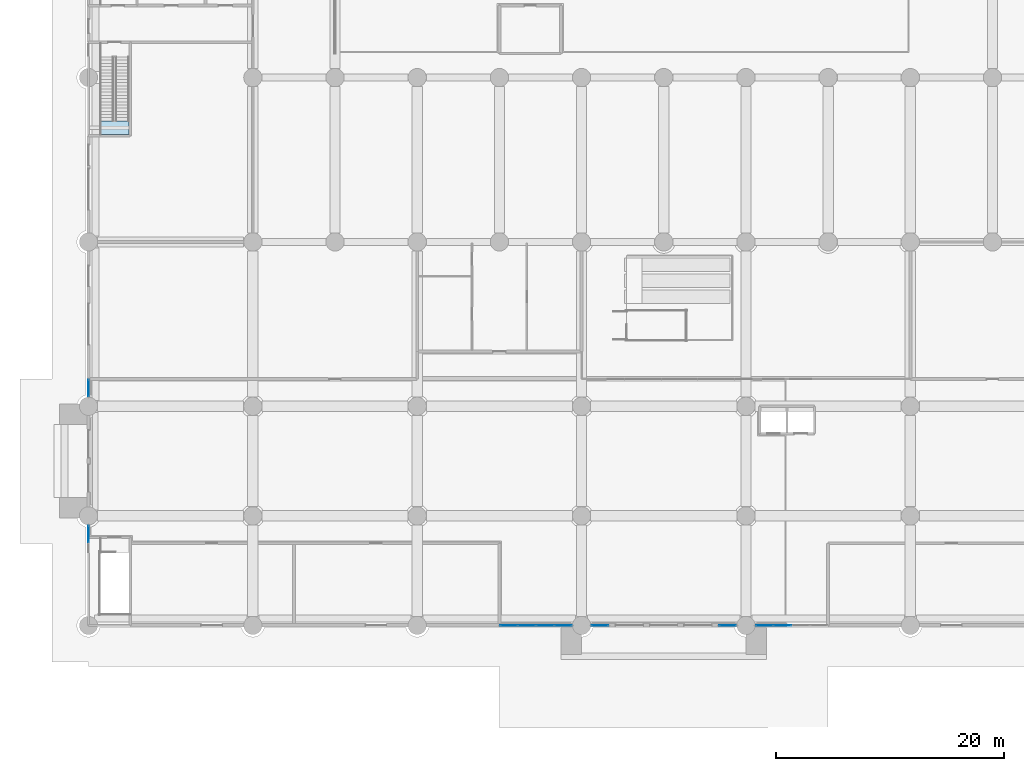
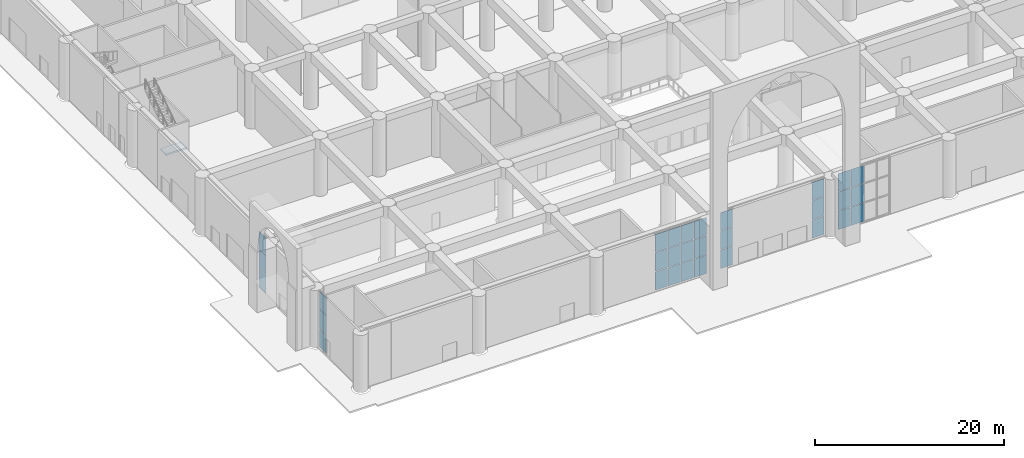
# One storey, part 9 of 32: 30 plates, 1 slab, 7 elements without a shape of their own.
"""IFC4 building model written with IfcOpenShell, lengths in metres."""

from ifc_helpers import new_model, si_unit, direction, frame, origin, origin_2d, place, context, subcontext, project, spatial, polyline, rectangle, outline, extrude, source, transform, mapped, material, layer, layer_set, type_object, element, aggregate, save


model = new_model("IFC4")

# Units and contexts
model_context = context("Model", 3, precision=1e-05, world=origin(), true_north=direction((0.0, 1.0)))
body_context = subcontext(model_context, "Body", "Model", "MODEL_VIEW")
ifc_project = project(units=[si_unit("LENGTHUNIT", "METRE"), si_unit("AREAUNIT", "SQUARE_METRE"), si_unit("VOLUMEUNIT", "CUBIC_METRE"), si_unit("PLANEANGLEUNIT", "RADIAN"), si_unit("MASSUNIT", "GRAM", prefix="KILO")], contexts=[model_context])

# Site, building, storey
site_placement = place(None, origin())
site = spatial("IfcSite", under=ifc_project, at=site_placement, CompositionType="ELEMENT")
building_placement = place(site_placement, origin())
building = spatial("IfcBuilding", under=site, at=building_placement, Name="Saffron Iwan Residences", CompositionType="ELEMENT")
storey_placement = place(building_placement, origin())
storey = spatial("IfcBuildingStorey", under=building, at=storey_placement, Name="L00", CompositionType="ELEMENT", Elevation=0.0)

# Stair, slab
ifc_material_1 = material(Name="Concrete C40/50", Category="concrete")
stair_type = type_object("IfcStairType", Name="Podium stair, reinforced concrete", PredefinedType="HALF_TURN_STAIR", material=ifc_material_1)
stair_placement = place(storey_placement, origin())
stair = element("IfcStair", 1, at=stair_placement, inside=storey, type_object=stair_type, Name="L00 Podium Stair 1", PredefinedType="HALF_TURN_STAIR")
ifc_layer_1 = layer(ifc_material_1, 0.199951171875)
ifc_layer_set_1 = layer_set([ifc_layer_1], Name="Concrete C40/50")
slab_type = type_object("IfcSlabType", Name="Podium stair landing, reinforced concrete", PredefinedType="LANDING", material=ifc_layer_set_1)
slab_placement = place(storey_placement, frame((0.0, 0.0, 3.699951171875)))
slab = element("IfcSlab", 2, at=slab_placement, type_object=slab_type, Name="PS1 landing 1", PredefinedType="LANDING", context=body_context, shape_type="SweptSolid", body=[
    extrude(outline(polyline([(1.0, 44.199951171875), (1.0, 43.0), (3.550048828125, 43.0), (3.550048828125, 44.199951171875), (1.0, 44.199951171875)])), origin(), (0.0, 0.0, 1.0), 0.199951171875),
])
aggregate(stair, [slab])

# Curtain wall, plates
ifc_material_2 = material(Name="Clear glass, laminated double glazed", Category="glass")
ifc_layer_2 = layer(ifc_material_2, 0.199951171875)
ifc_layer_set_2 = layer_set([ifc_layer_2], Name="Clear glass, laminated double glazed")
curtain_wall_type = type_object("IfcCurtainWallType", Name="CW-A UNITISED FRONTAGE", PredefinedType="NOTDEFINED", material=ifc_layer_set_2)
curtain_wall_1_placement = place(storey_placement, origin())
curtain_wall_1 = element("IfcCurtainWall", 3, at=curtain_wall_1_placement, inside=storey, type_object=curtain_wall_type, Name="Frontage glazing 1.1", PredefinedType="NOTDEFINED")
ifc_layer_3 = layer(ifc_material_2, 0.031982421875)
ifc_layer_set_3 = layer_set([ifc_layer_3], Name="Clear glass, laminated double glazed")
plate_type = type_object("IfcPlateType", Name="CW-A PANEL 32", PredefinedType="CURTAIN_PANEL", material=ifc_layer_set_3)
shared_shape_1 = source(origin(), body_context, "Body", "SweptSolid", [
    extrude(rectangle(XDim=1.47998046875, YDim=0.031982421875, at=origin_2d()), origin(), (0.0, 0.0, 1.0), 2.3798828125),
])
plate_1_placement = place(storey_placement, frame((36.820068359375, 0.0, 0.080078125), z_axis=(0.0, 0.0, 1.0), x_axis=(1.0, 0.0, 0.0)))
plate_1 = element("IfcPlate", 4, at=plate_1_placement, type_object=plate_type, Name="CW-A panel 1.1", PredefinedType="CURTAIN_PANEL", context=body_context, shape_type="MappedRepresentation", body=[
    mapped(shared_shape_1, transform((0.0, 0.0, 0.0))),
])
plate_2_placement = place(storey_placement, frame((41.580078125, 0.0, 0.080078125), z_axis=(0.0, 0.0, 1.0), x_axis=(1.0, 0.0, 0.0)))
plate_2 = element("IfcPlate", 5, at=plate_2_placement, type_object=plate_type, Name="CW-A panel 4.1", PredefinedType="CURTAIN_PANEL", context=body_context, shape_type="MappedRepresentation", body=[
    mapped(shared_shape_1, transform((0.0, 0.0, 0.0))),
])

# Curtain wall, plate
curtain_wall_2_placement = place(storey_placement, origin())
curtain_wall_2 = element("IfcCurtainWall", 6, at=curtain_wall_2_placement, inside=storey, type_object=curtain_wall_type, Name="Frontage glazing 2.2", PredefinedType="NOTDEFINED")
plate_3_placement = place(storey_placement, frame((59.219970703125, 0.0, 0.080078125), z_axis=(0.0, 0.0, 1.0), x_axis=(1.0, 0.0, 0.0)))
plate_3 = element("IfcPlate", 7, at=plate_3_placement, type_object=plate_type, Name="CW-A panel 1.1", PredefinedType="CURTAIN_PANEL", context=body_context, shape_type="MappedRepresentation", body=[
    mapped(shared_shape_1, transform((0.0, 0.0, 0.0))),
])

# Plate
shared_shape_2 = source(origin(), body_context, "Body", "SweptSolid", [
    extrude(rectangle(XDim=1.47998046875, YDim=0.031982421875, at=origin_2d()), origin(), (0.0, 0.0, 1.0), 2.419921875),
])
plate_4_placement = place(storey_placement, frame((36.820068359375, 0.0, 2.5400390625), z_axis=(0.0, 0.0, 1.0), x_axis=(1.0, 0.0, 0.0)))
plate_4 = element("IfcPlate", 8, at=plate_4_placement, type_object=plate_type, Name="CW-A panel 1.2", PredefinedType="CURTAIN_PANEL", context=body_context, shape_type="MappedRepresentation", body=[
    mapped(shared_shape_2, transform((0.0, 0.0, 0.0))),
])

plate_5_placement = place(storey_placement, frame((41.580078125, 0.0, 2.5400390625), z_axis=(0.0, 0.0, 1.0), x_axis=(1.0, 0.0, 0.0)))
plate_5 = element("IfcPlate", 9, at=plate_5_placement, type_object=plate_type, Name="CW-A panel 4.2", PredefinedType="CURTAIN_PANEL", context=body_context, shape_type="MappedRepresentation", body=[
    mapped(shared_shape_2, transform((0.0, 0.0, 0.0))),
])

plate_6_placement = place(storey_placement, frame((59.219970703125, 0.0, 2.5400390625), z_axis=(0.0, 0.0, 1.0), x_axis=(1.0, 0.0, 0.0)))
plate_6 = element("IfcPlate", 10, at=plate_6_placement, type_object=plate_type, Name="CW-A panel 1.2", PredefinedType="CURTAIN_PANEL", context=body_context, shape_type="MappedRepresentation", body=[
    mapped(shared_shape_2, transform((0.0, 0.0, 0.0))),
])

shared_shape_3 = source(origin(), body_context, "Body", "SweptSolid", [
    extrude(rectangle(XDim=1.47998046875, YDim=0.031982421875, at=origin_2d()), origin(), (0.0, 0.0, 1.0), 2.280029296875),
])
plate_7_placement = place(storey_placement, frame((36.820068359375, 0.0, 5.0400390625), z_axis=(0.0, 0.0, 1.0), x_axis=(1.0, 0.0, 0.0)))
plate_7 = element("IfcPlate", 11, at=plate_7_placement, type_object=plate_type, Name="CW-A panel 1.3", PredefinedType="CURTAIN_PANEL", context=body_context, shape_type="MappedRepresentation", body=[
    mapped(shared_shape_3, transform((0.0, 0.0, 0.0))),
])

plate_8_placement = place(storey_placement, frame((41.580078125, 0.0, 5.0400390625), z_axis=(0.0, 0.0, 1.0), x_axis=(1.0, 0.0, 0.0)))
plate_8 = element("IfcPlate", 12, at=plate_8_placement, type_object=plate_type, Name="CW-A panel 4.3", PredefinedType="CURTAIN_PANEL", context=body_context, shape_type="MappedRepresentation", body=[
    mapped(shared_shape_3, transform((0.0, 0.0, 0.0))),
])

plate_9_placement = place(storey_placement, frame((59.219970703125, 0.0, 5.0400390625), z_axis=(0.0, 0.0, 1.0), x_axis=(1.0, 0.0, 0.0)))
plate_9 = element("IfcPlate", 13, at=plate_9_placement, type_object=plate_type, Name="CW-A panel 1.3", PredefinedType="CURTAIN_PANEL", context=body_context, shape_type="MappedRepresentation", body=[
    mapped(shared_shape_3, transform((0.0, 0.0, 0.0))),
])

shared_shape_4 = source(origin(), body_context, "Body", "SweptSolid", [
    extrude(rectangle(XDim=1.52001953125, YDim=0.031982421875, at=origin_2d()), origin(), (0.0, 0.0, 1.0), 2.3798828125),
])
plate_10_placement = place(storey_placement, frame((38.39990234375, 0.0, 0.080078125), z_axis=(0.0, 0.0, 1.0), x_axis=(1.0, 0.0, 0.0)))
plate_10 = element("IfcPlate", 14, at=plate_10_placement, type_object=plate_type, Name="CW-A panel 2.1", PredefinedType="CURTAIN_PANEL", context=body_context, shape_type="MappedRepresentation", body=[
    mapped(shared_shape_4, transform((0.0, 0.0, 0.0))),
])

plate_11_placement = place(storey_placement, frame((40.0, 0.0, 0.080078125), z_axis=(0.0, 0.0, 1.0), x_axis=(1.0, 0.0, 0.0)))
plate_11 = element("IfcPlate", 15, at=plate_11_placement, type_object=plate_type, Name="CW-A panel 3.1", PredefinedType="CURTAIN_PANEL", context=body_context, shape_type="MappedRepresentation", body=[
    mapped(shared_shape_4, transform((0.0, 0.0, 0.0))),
])

plate_12_placement = place(storey_placement, frame((60.800048828125, 0.0, 0.080078125), z_axis=(0.0, 0.0, 1.0), x_axis=(1.0, 0.0, 0.0)))
plate_12 = element("IfcPlate", 16, at=plate_12_placement, type_object=plate_type, Name="CW-A panel 2.1", PredefinedType="CURTAIN_PANEL", context=body_context, shape_type="MappedRepresentation", body=[
    mapped(shared_shape_4, transform((0.0, 0.0, 0.0))),
])

shared_shape_5 = source(origin(), body_context, "Body", "SweptSolid", [
    extrude(rectangle(XDim=1.52001953125, YDim=0.031982421875, at=origin_2d()), origin(), (0.0, 0.0, 1.0), 2.419921875),
])
plate_13_placement = place(storey_placement, frame((38.39990234375, 0.0, 2.5400390625), z_axis=(0.0, 0.0, 1.0), x_axis=(1.0, 0.0, 0.0)))
plate_13 = element("IfcPlate", 17, at=plate_13_placement, type_object=plate_type, Name="CW-A panel 2.2", PredefinedType="CURTAIN_PANEL", context=body_context, shape_type="MappedRepresentation", body=[
    mapped(shared_shape_5, transform((0.0, 0.0, 0.0))),
])

plate_14_placement = place(storey_placement, frame((40.0, 0.0, 2.5400390625), z_axis=(0.0, 0.0, 1.0), x_axis=(1.0, 0.0, 0.0)))
plate_14 = element("IfcPlate", 18, at=plate_14_placement, type_object=plate_type, Name="CW-A panel 3.2", PredefinedType="CURTAIN_PANEL", context=body_context, shape_type="MappedRepresentation", body=[
    mapped(shared_shape_5, transform((0.0, 0.0, 0.0))),
])

plate_15_placement = place(storey_placement, frame((60.800048828125, 0.0, 2.5400390625), z_axis=(0.0, 0.0, 1.0), x_axis=(1.0, 0.0, 0.0)))
plate_15 = element("IfcPlate", 19, at=plate_15_placement, type_object=plate_type, Name="CW-A panel 2.2", PredefinedType="CURTAIN_PANEL", context=body_context, shape_type="MappedRepresentation", body=[
    mapped(shared_shape_5, transform((0.0, 0.0, 0.0))),
])

shared_shape_6 = source(origin(), body_context, "Body", "SweptSolid", [
    extrude(rectangle(XDim=1.52001953125, YDim=0.031982421875, at=origin_2d()), origin(), (0.0, 0.0, 1.0), 2.280029296875),
])
plate_16_placement = place(storey_placement, frame((38.39990234375, 0.0, 5.0400390625), z_axis=(0.0, 0.0, 1.0), x_axis=(1.0, 0.0, 0.0)))
plate_16 = element("IfcPlate", 20, at=plate_16_placement, type_object=plate_type, Name="CW-A panel 2.3", PredefinedType="CURTAIN_PANEL", context=body_context, shape_type="MappedRepresentation", body=[
    mapped(shared_shape_6, transform((0.0, 0.0, 0.0))),
])

plate_17_placement = place(storey_placement, frame((40.0, 0.0, 5.0400390625), z_axis=(0.0, 0.0, 1.0), x_axis=(1.0, 0.0, 0.0)))
plate_17 = element("IfcPlate", 21, at=plate_17_placement, type_object=plate_type, Name="CW-A panel 3.3", PredefinedType="CURTAIN_PANEL", context=body_context, shape_type="MappedRepresentation", body=[
    mapped(shared_shape_6, transform((0.0, 0.0, 0.0))),
])

aggregate(curtain_wall_1, [plate_1, plate_4, plate_7, plate_10, plate_13, plate_16, plate_11, plate_14, plate_17, plate_2, plate_5, plate_8])

plate_18_placement = place(storey_placement, frame((60.800048828125, 0.0, 5.0400390625), z_axis=(0.0, 0.0, 1.0), x_axis=(1.0, 0.0, 0.0)))
plate_18 = element("IfcPlate", 22, at=plate_18_placement, type_object=plate_type, Name="CW-A panel 2.3", PredefinedType="CURTAIN_PANEL", context=body_context, shape_type="MappedRepresentation", body=[
    mapped(shared_shape_6, transform((0.0, 0.0, 0.0))),
])

aggregate(curtain_wall_2, [plate_3, plate_6, plate_9, plate_12, plate_15, plate_18])

# Curtain wall, plate
curtain_wall_3_placement = place(storey_placement, origin())
curtain_wall_3 = element("IfcCurtainWall", 23, at=curtain_wall_3_placement, inside=storey, type_object=curtain_wall_type, Name="Frontage glazing 1.2", PredefinedType="NOTDEFINED")
shared_shape_7 = source(origin(), body_context, "Body", "SweptSolid", [
    extrude(rectangle(XDim=1.43994140625, YDim=0.031982421875, at=origin_2d()), origin(), (0.0, 0.0, 1.0), 2.3798828125),
])
plate_19_placement = place(storey_placement, frame((44.800048828125, 0.0, 0.080078125), z_axis=(0.0, 0.0, 1.0), x_axis=(1.0, 0.0, 0.0)))
plate_19 = element("IfcPlate", 24, at=plate_19_placement, type_object=plate_type, Name="CW-A panel 1.1", PredefinedType="CURTAIN_PANEL", context=body_context, shape_type="MappedRepresentation", body=[
    mapped(shared_shape_7, transform((0.0, 0.0, 0.0))),
])

curtain_wall_4_placement = place(storey_placement, origin())
curtain_wall_4 = element("IfcCurtainWall", 25, at=curtain_wall_4_placement, inside=storey, type_object=curtain_wall_type, Name="Frontage glazing 2.1", PredefinedType="NOTDEFINED")
plate_20_placement = place(storey_placement, frame((56.0, 0.0, 0.080078125), z_axis=(0.0, 0.0, 1.0), x_axis=(1.0, 0.0, 0.0)))
plate_20 = element("IfcPlate", 26, at=plate_20_placement, type_object=plate_type, Name="CW-A panel 1.1", PredefinedType="CURTAIN_PANEL", context=body_context, shape_type="MappedRepresentation", body=[
    mapped(shared_shape_7, transform((0.0, 0.0, 0.0))),
])

curtain_wall_5_placement = place(storey_placement, origin())
curtain_wall_5 = element("IfcCurtainWall", 27, at=curtain_wall_5_placement, inside=storey, type_object=curtain_wall_type, Name="Frontage glazing 3.1", PredefinedType="NOTDEFINED")
plate_21_placement = place(storey_placement, frame((0.0, 8.0, 0.080078125), z_axis=(0.0, 0.0, 1.0), x_axis=(0.0, 1.0, 0.0)))
plate_21 = element("IfcPlate", 28, at=plate_21_placement, type_object=plate_type, Name="CW-A panel 1.1", PredefinedType="CURTAIN_PANEL", context=body_context, shape_type="MappedRepresentation", body=[
    mapped(shared_shape_7, transform((0.0, 0.0, 0.0))),
])

curtain_wall_6_placement = place(storey_placement, origin())
curtain_wall_6 = element("IfcCurtainWall", 29, at=curtain_wall_6_placement, inside=storey, type_object=curtain_wall_type, Name="Frontage glazing 5.2", PredefinedType="NOTDEFINED")
plate_22_placement = place(storey_placement, frame((0.0, 20.800048828125, 0.080078125), z_axis=(0.0, 0.0, 1.0), x_axis=(0.0, 1.0, 0.0)))
plate_22 = element("IfcPlate", 30, at=plate_22_placement, type_object=plate_type, Name="CW-A panel 1.1", PredefinedType="CURTAIN_PANEL", context=body_context, shape_type="MappedRepresentation", body=[
    mapped(shared_shape_7, transform((0.0, 0.0, 0.0))),
])

# Plate
shared_shape_8 = source(origin(), body_context, "Body", "SweptSolid", [
    extrude(rectangle(XDim=1.43994140625, YDim=0.031982421875, at=origin_2d()), origin(), (0.0, 0.0, 1.0), 2.419921875),
])
plate_23_placement = place(storey_placement, frame((44.800048828125, 0.0, 2.5400390625), z_axis=(0.0, 0.0, 1.0), x_axis=(1.0, 0.0, 0.0)))
plate_23 = element("IfcPlate", 31, at=plate_23_placement, type_object=plate_type, Name="CW-A panel 1.2", PredefinedType="CURTAIN_PANEL", context=body_context, shape_type="MappedRepresentation", body=[
    mapped(shared_shape_8, transform((0.0, 0.0, 0.0))),
])

plate_24_placement = place(storey_placement, frame((56.0, 0.0, 2.5400390625), z_axis=(0.0, 0.0, 1.0), x_axis=(1.0, 0.0, 0.0)))
plate_24 = element("IfcPlate", 32, at=plate_24_placement, type_object=plate_type, Name="CW-A panel 1.2", PredefinedType="CURTAIN_PANEL", context=body_context, shape_type="MappedRepresentation", body=[
    mapped(shared_shape_8, transform((0.0, 0.0, 0.0))),
])

plate_25_placement = place(storey_placement, frame((0.0, 8.0, 2.5400390625), z_axis=(0.0, 0.0, 1.0), x_axis=(0.0, 1.0, 0.0)))
plate_25 = element("IfcPlate", 33, at=plate_25_placement, type_object=plate_type, Name="CW-A panel 1.2", PredefinedType="CURTAIN_PANEL", context=body_context, shape_type="MappedRepresentation", body=[
    mapped(shared_shape_8, transform((0.0, 0.0, 0.0))),
])

plate_26_placement = place(storey_placement, frame((0.0, 20.800048828125, 2.5400390625), z_axis=(0.0, 0.0, 1.0), x_axis=(0.0, 1.0, 0.0)))
plate_26 = element("IfcPlate", 34, at=plate_26_placement, type_object=plate_type, Name="CW-A panel 1.2", PredefinedType="CURTAIN_PANEL", context=body_context, shape_type="MappedRepresentation", body=[
    mapped(shared_shape_8, transform((0.0, 0.0, 0.0))),
])

shared_shape_9 = source(origin(), body_context, "Body", "SweptSolid", [
    extrude(rectangle(XDim=1.43994140625, YDim=0.031982421875, at=origin_2d()), origin(), (0.0, 0.0, 1.0), 2.280029296875),
])
plate_27_placement = place(storey_placement, frame((44.800048828125, 0.0, 5.0400390625), z_axis=(0.0, 0.0, 1.0), x_axis=(1.0, 0.0, 0.0)))
plate_27 = element("IfcPlate", 35, at=plate_27_placement, type_object=plate_type, Name="CW-A panel 1.3", PredefinedType="CURTAIN_PANEL", context=body_context, shape_type="MappedRepresentation", body=[
    mapped(shared_shape_9, transform((0.0, 0.0, 0.0))),
])

aggregate(curtain_wall_3, [plate_19, plate_23, plate_27])

plate_28_placement = place(storey_placement, frame((56.0, 0.0, 5.0400390625), z_axis=(0.0, 0.0, 1.0), x_axis=(1.0, 0.0, 0.0)))
plate_28 = element("IfcPlate", 36, at=plate_28_placement, type_object=plate_type, Name="CW-A panel 1.3", PredefinedType="CURTAIN_PANEL", context=body_context, shape_type="MappedRepresentation", body=[
    mapped(shared_shape_9, transform((0.0, 0.0, 0.0))),
])

aggregate(curtain_wall_4, [plate_20, plate_24, plate_28])

plate_29_placement = place(storey_placement, frame((0.0, 8.0, 5.0400390625), z_axis=(0.0, 0.0, 1.0), x_axis=(0.0, 1.0, 0.0)))
plate_29 = element("IfcPlate", 37, at=plate_29_placement, type_object=plate_type, Name="CW-A panel 1.3", PredefinedType="CURTAIN_PANEL", context=body_context, shape_type="MappedRepresentation", body=[
    mapped(shared_shape_9, transform((0.0, 0.0, 0.0))),
])

aggregate(curtain_wall_5, [plate_21, plate_25, plate_29])

plate_30_placement = place(storey_placement, frame((0.0, 20.800048828125, 5.0400390625), z_axis=(0.0, 0.0, 1.0), x_axis=(0.0, 1.0, 0.0)))
plate_30 = element("IfcPlate", 38, at=plate_30_placement, type_object=plate_type, Name="CW-A panel 1.3", PredefinedType="CURTAIN_PANEL", context=body_context, shape_type="MappedRepresentation", body=[
    mapped(shared_shape_9, transform((0.0, 0.0, 0.0))),
])

aggregate(curtain_wall_6, [plate_22, plate_26, plate_30])

save(model, "model.ifc")
